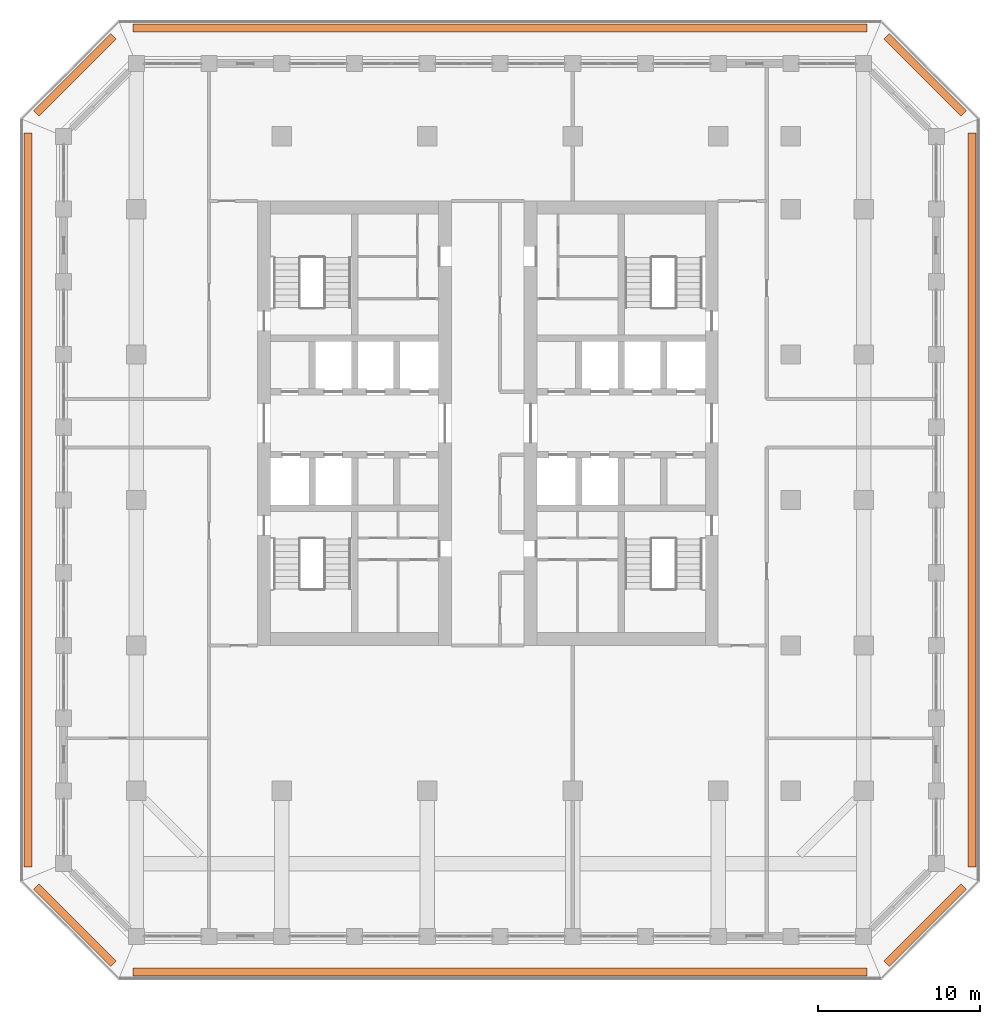
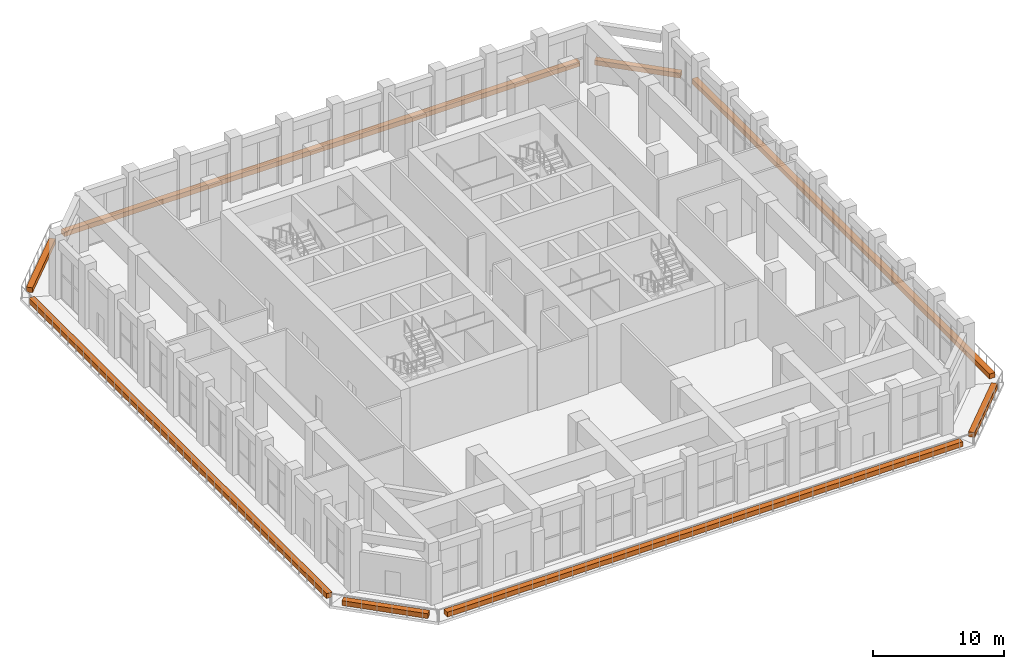
# One storey, part 25 of 25: 8 proxies.
"""IFC4 building model written with IfcOpenShell, lengths in metres."""

from ifc_helpers import new_model, si_unit, direction, frame, origin, origin_2d, place, context, subcontext, project, spatial, rectangle, extrude, material, type_object, element, save


model = new_model("IFC4")

# Units and contexts
model_context = context("Model", 3, precision=1e-05, world=origin(), true_north=direction((0.0, 1.0)))
body_context = subcontext(model_context, "Body", "Model", "MODEL_VIEW")
ifc_project = project(units=[si_unit("LENGTHUNIT", "METRE"), si_unit("AREAUNIT", "SQUARE_METRE"), si_unit("VOLUMEUNIT", "CUBIC_METRE"), si_unit("PLANEANGLEUNIT", "RADIAN"), si_unit("MASSUNIT", "GRAM", prefix="KILO")], contexts=[model_context])

# Site, building, storey
site_placement = place(None, origin())
site = spatial("IfcSite", under=ifc_project, at=site_placement, CompositionType="ELEMENT")
building_placement = place(site_placement, origin())
building = spatial("IfcBuilding", under=site, at=building_placement, Name="Corbel Stack Research Tower", CompositionType="ELEMENT")
storey_placement = place(building_placement, frame((0.0, 0.0, 220.199951171875)))
storey = spatial("IfcBuildingStorey", under=building, at=storey_placement, Name="L50", CompositionType="ELEMENT", Elevation=220.199951171875)

# Proxies
ifc_material = material(Name="Concrete C45/55", Category="concrete")
building_element_proxy_type = type_object("IfcBuildingElementProxyType", Name="Planter box", PredefinedType="USERDEFINED", material=ifc_material)
proxy_1_placement = place(storey_placement, frame((4.5, -29.199951171875, 0.0), z_axis=(0.0, 0.0, 1.0), x_axis=(1.0, 0.0, 0.0)))
element("IfcBuildingElementProxy", 1, at=proxy_1_placement, inside=storey, type_object=building_element_proxy_type, Name="Planter L50 S", ObjectType="PLANTER", PredefinedType="USERDEFINED", context=body_context, shape_type="SweptSolid", body=[
    extrude(rectangle(XDim=45.41064453125, YDim=0.5, at=origin_2d()), origin(), (0.0, 0.0, 1.0), 0.449951171875),
])
proxy_2_placement = place(storey_placement, frame((30.8056640625, -26.3056640625, 0.0), z_axis=(0.0, 0.0, 1.0), x_axis=(0.707106781187, 0.707106781187, 0.0)))
element("IfcBuildingElementProxy", 2, at=proxy_2_placement, inside=storey, type_object=building_element_proxy_type, Name="Planter L50 SE", ObjectType="PLANTER", PredefinedType="USERDEFINED", context=body_context, shape_type="SweptSolid", body=[
    extrude(rectangle(XDim=6.774658203125, YDim=0.5, at=origin_2d()), origin(), (0.0, 0.0, 1.0), 0.449951171875),
])
proxy_3_placement = place(storey_placement, frame((33.699951171875, 0.0, 0.0), z_axis=(0.0, 0.0, 1.0), x_axis=(0.0, 1.0, 0.0)))
element("IfcBuildingElementProxy", 3, at=proxy_3_placement, inside=storey, type_object=building_element_proxy_type, Name="Planter L50 E", ObjectType="PLANTER", PredefinedType="USERDEFINED", context=body_context, shape_type="SweptSolid", body=[
    extrude(rectangle(XDim=45.41064453125, YDim=0.5, at=origin_2d()), origin(), (0.0, 0.0, 1.0), 0.449951171875),
])
proxy_4_placement = place(storey_placement, frame((30.8056640625, 26.3056640625, 0.0), z_axis=(0.0, 0.0, 1.0), x_axis=(-0.707106781187, 0.707106781187, 0.0)))
element("IfcBuildingElementProxy", 4, at=proxy_4_placement, inside=storey, type_object=building_element_proxy_type, Name="Planter L50 NE", ObjectType="PLANTER", PredefinedType="USERDEFINED", context=body_context, shape_type="SweptSolid", body=[
    extrude(rectangle(XDim=6.774658203125, YDim=0.5, at=origin_2d()), origin(), (0.0, 0.0, 1.0), 0.449951171875),
])
proxy_5_placement = place(storey_placement, frame((4.5, 29.199951171875, 0.0), z_axis=(0.0, 0.0, 1.0), x_axis=(-1.0, 0.0, 0.0)))
element("IfcBuildingElementProxy", 5, at=proxy_5_placement, inside=storey, type_object=building_element_proxy_type, Name="Planter L50 N", ObjectType="PLANTER", PredefinedType="USERDEFINED", context=body_context, shape_type="SweptSolid", body=[
    extrude(rectangle(XDim=45.41064453125, YDim=0.5, at=origin_2d()), origin(), (0.0, 0.0, 1.0), 0.449951171875),
])
proxy_6_placement = place(storey_placement, frame((-21.8056640625, 26.3056640625, 0.0), z_axis=(0.0, 0.0, 1.0), x_axis=(-0.707106781187, -0.707106781187, 0.0)))
element("IfcBuildingElementProxy", 6, at=proxy_6_placement, inside=storey, type_object=building_element_proxy_type, Name="Planter L50 NW", ObjectType="PLANTER", PredefinedType="USERDEFINED", context=body_context, shape_type="SweptSolid", body=[
    extrude(rectangle(XDim=6.774658203125, YDim=0.5, at=origin_2d()), origin(), (0.0, 0.0, 1.0), 0.449951171875),
])
proxy_7_placement = place(storey_placement, frame((-24.699951171875, 0.0, 0.0), z_axis=(0.0, 0.0, 1.0), x_axis=(0.0, -1.0, 0.0)))
element("IfcBuildingElementProxy", 7, at=proxy_7_placement, inside=storey, type_object=building_element_proxy_type, Name="Planter L50 W", ObjectType="PLANTER", PredefinedType="USERDEFINED", context=body_context, shape_type="SweptSolid", body=[
    extrude(rectangle(XDim=45.41064453125, YDim=0.5, at=origin_2d()), origin(), (0.0, 0.0, 1.0), 0.449951171875),
])
proxy_8_placement = place(storey_placement, frame((-21.8056640625, -26.3056640625, 0.0), z_axis=(0.0, 0.0, 1.0), x_axis=(0.707106781187, -0.707106781187, 0.0)))
element("IfcBuildingElementProxy", 8, at=proxy_8_placement, inside=storey, type_object=building_element_proxy_type, Name="Planter L50 SW", ObjectType="PLANTER", PredefinedType="USERDEFINED", context=body_context, shape_type="SweptSolid", body=[
    extrude(rectangle(XDim=6.774658203125, YDim=0.5, at=origin_2d()), origin(), (0.0, 0.0, 1.0), 0.449951171875),
])

save(model, "model.ifc")
